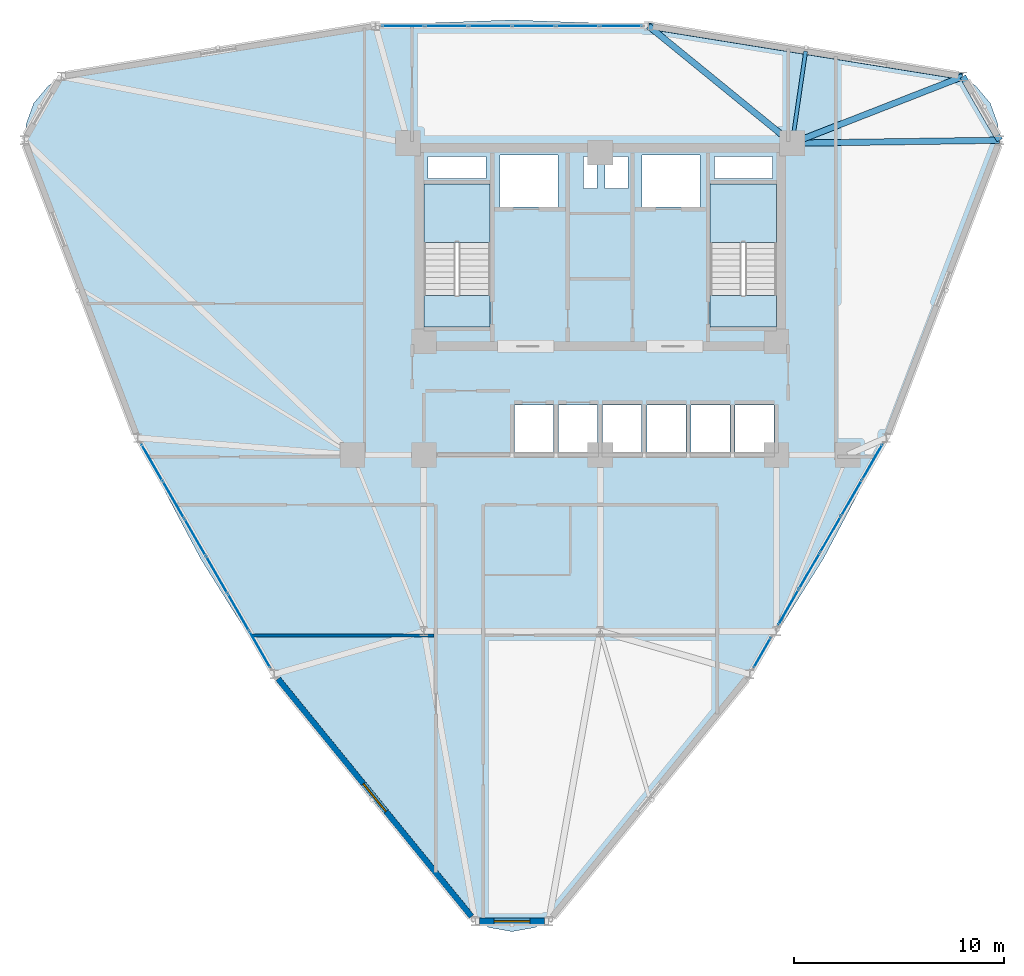
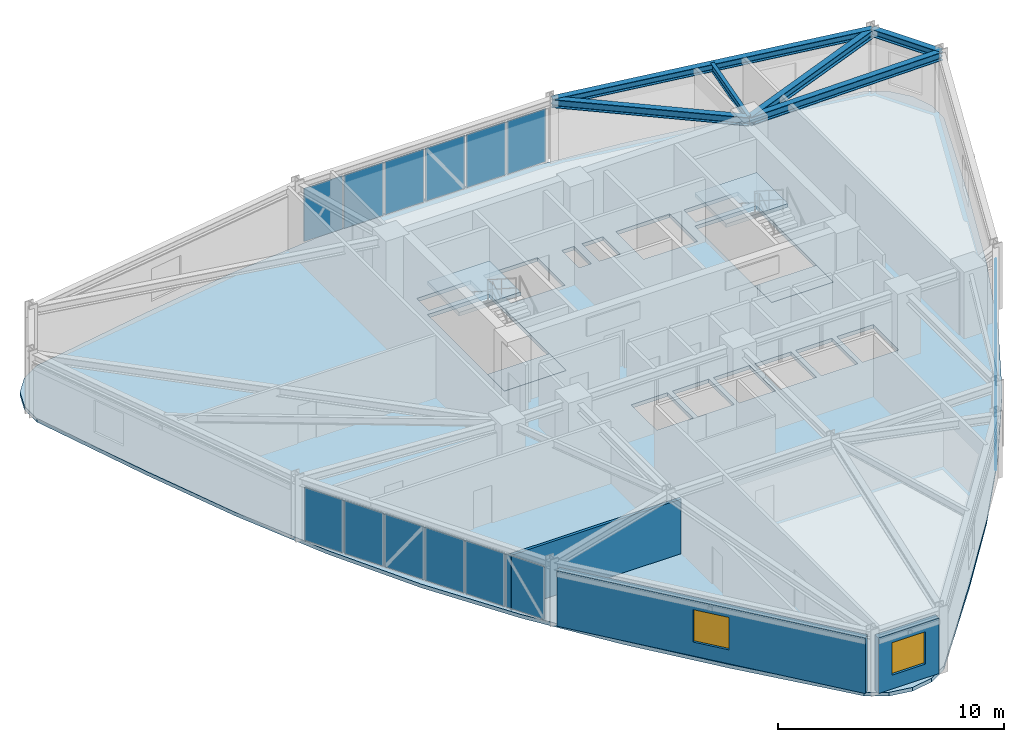
# One storey, part 9 of 15: 18 plates, 6 beams, 5 slabs, 3 walls, 2 windows, 2 openings, 6 elements without a shape of their own.
"""IFC4 building model written with IfcOpenShell, lengths in metres."""

from ifc_helpers import new_model, si_unit, derived_unit, direction, frame, frame_2d, origin, origin_2d, place, context, subcontext, project, spatial, polyline, rectangle, i_section, outline, extrude, source, transform, mapped, material, layer, layer_set, material_profile, profile_set, type_object, element, fill, aggregate, save


model = new_model("IFC4")

# Units and contexts
model_context = context("Model", 3, precision=1e-05, world=origin(), true_north=direction((0.0, 1.0)))
body_context = subcontext(model_context, "Body", "Model", "MODEL_VIEW")
ifc_project = project(units=[si_unit("LENGTHUNIT", "METRE"), si_unit("AREAUNIT", "SQUARE_METRE"), si_unit("VOLUMEUNIT", "CUBIC_METRE"), si_unit("PLANEANGLEUNIT", "RADIAN"), si_unit("MASSUNIT", "GRAM", prefix="KILO"), derived_unit("THERMALTRANSMITTANCEUNIT", [(si_unit("POWERUNIT", "WATT"), 1), (si_unit("LENGTHUNIT", "METRE"), -2), (si_unit("THERMODYNAMICTEMPERATUREUNIT", "KELVIN"), -1)])], contexts=[model_context])

# Site, building, storey
site_placement = place(None, origin())
site = spatial("IfcSite", under=ifc_project, at=site_placement, CompositionType="ELEMENT")
building_placement = place(site_placement, origin())
building = spatial("IfcBuilding", under=site, at=building_placement, Name="Korsvarv Bourse and Concert Hall", CompositionType="ELEMENT")
storey_placement = place(building_placement, frame((0.0, 0.0, 150.60009765625)))
storey = spatial("IfcBuildingStorey", under=building, at=storey_placement, Name="L38", CompositionType="ELEMENT", Elevation=150.60009765625)

# Beams
ifc_material_1 = material(Name="Steel S355", Category="steel")
ifc_material_profile_1 = material_profile(ifc_material_1, i_section(OverallWidth=0.300048828125, OverallDepth=0.39990234375, WebThickness=0.013427734375, FlangeThickness=0.02392578125, FilletRadius=0.02099609375, at=origin_2d()), Name="HEB 400")
ifc_profile_set_1 = profile_set([ifc_material_profile_1], Name="Steel S355")
beam_type_1 = type_object("IfcBeamType", Name="BM-HEB400", PredefinedType="SPANDREL", material=ifc_profile_set_1)
shared_shape_1 = source(origin(), body_context, "Body", "SweptSolid", [
    extrude(i_section(OverallWidth=0.300048828125, OverallDepth=0.39990234375, WebThickness=0.013427734375, FlangeThickness=0.02392578125, FilletRadius=0.02099609375, at=origin_2d()), origin(), (0.0, 0.0, 1.0), 3.505859375),
])
beam_1_placement = place(storey_placement, frame((55.033935546875, 47.39013671875, 3.199951171875), z_axis=(-0.500003763204, 0.866023231087, 0.0), x_axis=(-0.866023231087, -0.500003763204, 0.0)))
element("IfcBeam", 1, at=beam_1_placement, inside=storey, type_object=beam_type_1, Name="L38 beam B-09", PredefinedType="SPANDREL", context=body_context, shape_type="MappedRepresentation", body=[
    mapped(shared_shape_1, transform((0.0, 0.0, 0.0), scale=1.0)),
])
shared_shape_2 = source(origin(), body_context, "Body", "SweptSolid", [
    extrude(i_section(OverallWidth=0.300048828125, OverallDepth=0.39990234375, WebThickness=0.013427734375, FlangeThickness=0.02392578125, FilletRadius=0.02099609375, at=origin_2d()), origin(), (0.0, 0.0, 1.0), 15.1728515625),
])
beam_2_placement = place(storey_placement, frame((53.281005859375, 50.42626953125, 3.199951171875), z_axis=(-0.987303302505, 0.158846431694, 0.0), x_axis=(-0.158846431694, -0.987303302505, 0.0)))
element("IfcBeam", 2, at=beam_2_placement, inside=storey, type_object=beam_type_1, Name="L38 beam B-09", PredefinedType="SPANDREL", context=body_context, shape_type="MappedRepresentation", body=[
    mapped(shared_shape_2, transform((0.0, 0.0, 0.0), scale=1.0)),
])
ifc_material_profile_2 = material_profile(ifc_material_1, i_section(OverallWidth=0.300048828125, OverallDepth=0.449951171875, WebThickness=0.013916015625, FlangeThickness=0.02587890625, FilletRadius=0.02099609375, at=origin_2d()), Name="HEB 450")
ifc_profile_set_2 = profile_set([ifc_material_profile_2], Name="Steel S355")
beam_type_2 = type_object("IfcBeamType", Name="BM-HEB450", PredefinedType="SPANDREL", material=ifc_profile_set_2)
shared_shape_3 = source(origin(), body_context, "Body", "SweptSolid", [
    extrude(i_section(OverallWidth=0.300048828125, OverallDepth=0.449951171875, WebThickness=0.013916015625, FlangeThickness=0.02587890625, FilletRadius=0.02099609375, at=origin_2d()), origin(), (0.0, 0.0, 1.0), 9.885009765625),
])
beam_3_placement = place(storey_placement, frame((55.033935546875, 47.39013671875, 3.1748046875), z_axis=(-0.999899506023, -0.014176665838, 0.0), x_axis=(0.014176665838, -0.999899506023, 0.0)))
element("IfcBeam", 3, at=beam_3_placement, inside=storey, type_object=beam_type_2, Name="L38 beam B-08", PredefinedType="SPANDREL", context=body_context, shape_type="MappedRepresentation", body=[
    mapped(shared_shape_3, transform((0.0, 0.0, 0.0), scale=1.0)),
])
shared_shape_4 = source(origin(), body_context, "Body", "SweptSolid", [
    extrude(i_section(OverallWidth=0.300048828125, OverallDepth=0.449951171875, WebThickness=0.013916015625, FlangeThickness=0.02587890625, FilletRadius=0.02099609375, at=origin_2d()), origin(), (0.0, 0.0, 1.0), 8.7294921875),
])
beam_4_placement = place(storey_placement, frame((53.281005859375, 50.42626953125, 3.1748046875), z_axis=(-0.931455127945, -0.363856214219, 0.0), x_axis=(0.363856214219, -0.931455127945, 0.0)))
element("IfcBeam", 4, at=beam_4_placement, inside=storey, type_object=beam_type_2, Name="L38 beam B-08", PredefinedType="SPANDREL", context=body_context, shape_type="MappedRepresentation", body=[
    mapped(shared_shape_4, transform((0.0, 0.0, 0.0), scale=1.0)),
])
shared_shape_5 = source(origin(), body_context, "Body", "SweptSolid", [
    extrude(i_section(OverallWidth=0.300048828125, OverallDepth=0.449951171875, WebThickness=0.013916015625, FlangeThickness=0.02587890625, FilletRadius=0.02099609375, at=origin_2d()), origin(), (0.0, 0.0, 1.0), 8.83837890625),
])
beam_5_placement = place(storey_placement, frame((38.30078125, 52.83642578125, 3.1748046875), z_axis=(0.774921273398, -0.632057766375, 0.0), x_axis=(0.632057766375, 0.774921273398, 0.0)))
element("IfcBeam", 5, at=beam_5_placement, inside=storey, type_object=beam_type_2, Name="L38 beam B-08", PredefinedType="SPANDREL", context=body_context, shape_type="MappedRepresentation", body=[
    mapped(shared_shape_5, transform((0.0, 0.0, 0.0), scale=1.0)),
])
ifc_material_profile_3 = material_profile(ifc_material_1, i_section(OverallWidth=0.179931640625, OverallDepth=0.39990234375, WebThickness=0.008544921875, FlangeThickness=0.013427734375, FilletRadius=0.02099609375, at=origin_2d()), Name="IPE 400")
ifc_profile_set_3 = profile_set([ifc_material_profile_3], Name="Steel S355")
beam_type_3 = type_object("IfcBeamType", Name="BM-IPE400", PredefinedType="JOIST", material=ifc_profile_set_3)
shared_shape_6 = source(origin(), body_context, "Body", "SweptSolid", [
    extrude(i_section(OverallWidth=0.179931640625, OverallDepth=0.39990234375, WebThickness=0.008544921875, FlangeThickness=0.013427734375, FilletRadius=0.02099609375, at=origin_2d()), origin(), (0.0, 0.0, 1.0), 4.427978515625),
])
beam_6_placement = place(storey_placement, frame((45.791015625, 51.63134765625, 3.199951171875), z_axis=(-0.144786014359, -0.989462990741, 0.0), x_axis=(0.989462990741, -0.144786014359, 0.0)))
element("IfcBeam", 6, at=beam_6_placement, inside=storey, type_object=beam_type_3, Name="L38 beam J-05", PredefinedType="JOIST", context=body_context, shape_type="MappedRepresentation", body=[
    mapped(shared_shape_6, transform((0.0, 0.0, 0.0), scale=1.0)),
])

# Slabs
ifc_material_2 = material(Name="Precast concrete C45/55", Category="concrete")
ifc_layer_1 = layer(ifc_material_2, 0.199951171875)
ifc_layer_set_1 = layer_set([ifc_layer_1], Name="Precast concrete C45/55")
slab_type_1 = type_object("IfcSlabType", Name="SLB-FLND-T", PredefinedType="LANDING", material=ifc_layer_set_1)
slab_1_placement = place(storey_placement, frame((0.0, 0.0, -0.2001953125)))
element("IfcSlab", 7, at=slab_1_placement, inside=storey, type_object=slab_type_1, Name="L38 Stair ST-T1 Floor Landing Slab", PredefinedType="LANDING", context=body_context, shape_type="SweptSolid", body=[
    extrude(outline(polyline([(30.760009765625, 38.5), (30.760009765625, 40.0), (27.60009765625, 40.0), (27.60009765625, 38.5), (30.760009765625, 38.5)])), origin(), (0.0, 0.0, 1.0), 0.2001953125),
])
slab_2_placement = place(storey_placement, frame((0.0, 0.0, -0.2001953125)))
element("IfcSlab", 8, at=slab_2_placement, inside=storey, type_object=slab_type_1, Name="L38 Stair ST-T2 Floor Landing Slab", PredefinedType="LANDING", context=body_context, shape_type="SweptSolid", body=[
    extrude(outline(polyline([(44.39990234375, 38.5), (44.39990234375, 40.0), (41.239990234375, 40.0), (41.239990234375, 38.5), (44.39990234375, 38.5)])), origin(), (0.0, 0.0, 1.0), 0.2001953125),
])

# Stair, slab
stair_type = type_object("IfcStairType", Name="STR-TYPE-04", PredefinedType="HALF_TURN_STAIR", material=ifc_material_2)
stair_1_placement = place(storey_placement, origin())
stair_1 = element("IfcStair", 9, at=stair_1_placement, inside=storey, type_object=stair_type, Name="L38 Tower West Exit Stair ST-T1", PredefinedType="HALF_TURN_STAIR")
ifc_layer_2 = layer(ifc_material_2, 0.199951171875)
ifc_layer_set_2 = layer_set([ifc_layer_2], Name="Precast concrete C45/55")
slab_type_2 = type_object("IfcSlabType", Name="SLB-ST-LND", PredefinedType="LANDING", material=ifc_layer_set_2)
slab_3_placement = place(storey_placement, frame((0.0, 0.0, 1.599853515625)))
slab_3 = element("IfcSlab", 10, at=slab_3_placement, type_object=slab_type_2, Name="ST-T1 landing 1", PredefinedType="LANDING", context=body_context, shape_type="SweptSolid", body=[
    extrude(outline(polyline([(30.760009765625, 42.52001953125), (30.760009765625, 45.300048828125), (27.60009765625, 45.300048828125), (27.60009765625, 42.52001953125), (30.760009765625, 42.52001953125)])), origin(), (0.0, 0.0, 1.0), 0.199951171875),
])
aggregate(stair_1, [slab_3])

stair_2_placement = place(storey_placement, origin())
stair_2 = element("IfcStair", 11, at=stair_2_placement, inside=storey, type_object=stair_type, Name="L38 Tower East Exit Stair ST-T2", PredefinedType="HALF_TURN_STAIR")
slab_4_placement = place(storey_placement, frame((0.0, 0.0, 1.599853515625)))
slab_4 = element("IfcSlab", 12, at=slab_4_placement, type_object=slab_type_2, Name="ST-T2 landing 1", PredefinedType="LANDING", context=body_context, shape_type="SweptSolid", body=[
    extrude(outline(polyline([(44.39990234375, 42.52001953125), (44.39990234375, 45.300048828125), (41.239990234375, 45.300048828125), (41.239990234375, 42.52001953125), (44.39990234375, 42.52001953125)])), origin(), (0.0, 0.0, 1.0), 0.199951171875),
])
aggregate(stair_2, [slab_4])

# Slab
ifc_material_3 = material(Name="Concrete C45/55", Category="concrete")
ifc_layer_3 = layer(ifc_material_3, 0.199951171875)
ifc_layer_set_3 = layer_set([ifc_layer_3], Name="Concrete C45/55")
slab_type_3 = type_object("IfcSlabType", Name="SLB-TW2", PredefinedType="FLOOR", material=ifc_layer_set_3)
slab_5_placement = place(storey_placement, frame((0.0, 0.0, -0.2001953125)))
element("IfcSlab", 13, at=slab_5_placement, inside=storey, type_object=slab_type_3, Name="L38 tower structural floor slab", PredefinedType="FLOOR", context=body_context, shape_type="SweptSolid", body=[
    extrude(outline(polyline([(54.530517578125, 45.832763671875), (52.81396484375, 41.052978515625), (50.986083984375, 36.362548828125), (48.9462890625, 31.814697265625), (46.626220703125, 27.440185546875), (43.997802734375, 23.243408203125), (41.0791015625, 19.203125), (37.930908203125, 15.27490234375), (34.64990234375, 11.398193359375), (34.6474609375, 11.3955078125), (33.83935546875, 10.4326171875), (32.88525390625, 9.881591796875), (31.800048828125, 9.690185546875), (30.71484375, 9.881591796875), (29.760498046875, 10.4326171875), (28.95263671875, 11.3955078125), (28.9501953125, 11.398193359375), (25.669189453125, 15.27490234375), (22.52099609375, 19.203125), (19.602294921875, 23.243408203125), (16.973876953125, 27.440185546875), (14.653564453125, 31.814697265625), (12.614013671875, 36.362548828125), (10.7861328125, 41.052978515625), (9.069580078125, 45.832763671875), (9.068115234375, 45.83642578125), (8.63818359375, 47.017578125), (8.63818359375, 48.119384765625), (9.01513671875, 49.15478515625), (9.723388671875, 49.9990234375), (10.677490234375, 50.5498046875), (11.91552734375, 50.768310546875), (11.919189453125, 50.768798828125), (16.9169921875, 51.671875), (21.892822265625, 52.434326171875), (26.851318359375, 52.94189453125), (31.800048828125, 53.11962890625), (36.74853515625, 52.94189453125), (41.70703125, 52.434326171875), (46.68310546875, 51.671875), (51.6806640625, 50.768798828125), (51.684326171875, 50.768310546875), (52.92236328125, 50.5498046875), (53.876708984375, 49.9990234375), (54.5849609375, 49.15478515625), (54.9619140625, 48.119384765625), (54.9619140625, 47.017578125), (54.53173828125, 45.83642578125), (54.530517578125, 45.832763671875)]), holes=[polyline([(30.760009765625, 38.5), (30.760009765625, 45.300048828125), (27.60009765625, 45.300048828125), (27.60009765625, 38.5), (30.760009765625, 38.5)]), polyline([(44.39990234375, 38.5), (44.39990234375, 45.300048828125), (41.239990234375, 45.300048828125), (41.239990234375, 38.5), (44.39990234375, 38.5)]), polyline([(31.239990234375, 44.219970703125), (34.0, 44.219970703125), (34.0, 46.679931640625), (31.239990234375, 46.679931640625), (31.239990234375, 44.219970703125)]), polyline([(38.0, 44.219970703125), (40.760009765625, 44.219970703125), (40.760009765625, 46.679931640625), (38.0, 46.679931640625), (38.0, 44.219970703125)]), polyline([(31.919921875, 32.52001953125), (33.780029296875, 32.52001953125), (33.780029296875, 34.780029296875), (31.919921875, 34.780029296875), (31.919921875, 32.52001953125)]), polyline([(34.02001953125, 32.52001953125), (35.8798828125, 32.52001953125), (35.8798828125, 34.780029296875), (34.02001953125, 34.780029296875), (34.02001953125, 32.52001953125)]), polyline([(36.1201171875, 32.52001953125), (37.97998046875, 32.52001953125), (37.97998046875, 34.780029296875), (36.1201171875, 34.780029296875), (36.1201171875, 32.52001953125)]), polyline([(38.219970703125, 32.52001953125), (40.080078125, 32.52001953125), (40.080078125, 34.780029296875), (38.219970703125, 34.780029296875), (38.219970703125, 32.52001953125)]), polyline([(40.320068359375, 32.52001953125), (42.179931640625, 32.52001953125), (42.179931640625, 34.780029296875), (40.320068359375, 34.780029296875), (40.320068359375, 32.52001953125)]), polyline([(42.419921875, 32.52001953125), (44.280029296875, 32.52001953125), (44.280029296875, 34.780029296875), (42.419921875, 34.780029296875), (42.419921875, 32.52001953125)]), polyline([(27.800048828125, 45.56005859375), (30.56005859375, 45.56005859375), (30.56005859375, 46.6201171875), (27.800048828125, 46.6201171875), (27.800048828125, 45.56005859375)]), polyline([(41.43994140625, 45.56005859375), (44.199951171875, 45.56005859375), (44.199951171875, 46.6201171875), (41.43994140625, 46.6201171875), (41.43994140625, 45.56005859375)]), polyline([(35.199951171875, 45.080078125), (35.840087890625, 45.080078125), (35.840087890625, 46.6201171875), (35.199951171875, 46.6201171875), (35.199951171875, 45.080078125)]), polyline([(36.239990234375, 45.080078125), (37.320068359375, 45.080078125), (37.320068359375, 46.6201171875), (36.239990234375, 46.6201171875), (36.239990234375, 45.080078125)])]), origin(), (0.0, 0.0, 1.0), 0.2001953125),
])

# Curtain wall, plates
ifc_material_4 = material(Name="Anodised aluminium and triple low-E glazing", Category="glass")
ifc_layer_4 = layer(ifc_material_4, 0.2099609375)
ifc_layer_set_4 = layer_set([ifc_layer_4], Name="Anodised aluminium and triple low-E glazing")
curtain_wall_type = type_object("IfcCurtainWallType", Name="CW-SYS-2", PredefinedType="NOTDEFINED", material=ifc_layer_set_4)
curtain_wall_1_placement = place(storey_placement, origin())
curtain_wall_1 = element("IfcCurtainWall", 14, at=curtain_wall_1_placement, inside=storey, type_object=curtain_wall_type, Name="L38 CW2 curtain wall CW-L38-F11-2", PredefinedType="NOTDEFINED")
ifc_material_5 = material(Name="Tempered triple insulated low-E architectural glass", Category="glass")
ifc_layer_5 = layer(ifc_material_5, 0.0380859375)
ifc_layer_set_5 = layer_set([ifc_layer_5], Name="Tempered triple insulated low-E architectural glass")
plate_type_1 = type_object("IfcPlateType", Name="CWP-VIS2", PredefinedType="CURTAIN_PANEL", material=ifc_layer_set_5)
shared_shape_7 = source(origin(), body_context, "Body", "SweptSolid", [
    extrude(rectangle(XDim=1.898681640625, YDim=0.0380859375, at=origin_2d()), origin(), (0.0, 0.0, 1.0), 2.8701171875),
])
plate_1_placement = place(storey_placement, frame((44.97705078125, 25.150390625, 0.06494140625), z_axis=(0.0, 0.0, 1.0), x_axis=(0.500004690206, 0.866022695876, 0.0)))
plate_1 = element("IfcPlate", 15, at=plate_1_placement, type_object=plate_type_1, Name="CW2 faceted panel 1.1", PredefinedType="CURTAIN_PANEL", context=body_context, shape_type="MappedRepresentation", body=[
    mapped(shared_shape_7, transform((0.0, 0.0, 0.0), scale=1.0)),
])
plate_2_placement = place(storey_placement, frame((48.967041015625, 32.061279296875, 0.06494140625), z_axis=(0.0, 0.0, 1.0), x_axis=(0.500004690206, 0.866022695876, 0.0)))
plate_2 = element("IfcPlate", 16, at=plate_2_placement, type_object=plate_type_1, Name="CW2 faceted panel 5.1", PredefinedType="CURTAIN_PANEL", context=body_context, shape_type="MappedRepresentation", body=[
    mapped(shared_shape_7, transform((0.0, 0.0, 0.0), scale=1.0)),
])

curtain_wall_2_placement = place(storey_placement, origin())
curtain_wall_2 = element("IfcCurtainWall", 17, at=curtain_wall_2_placement, inside=storey, type_object=curtain_wall_type, Name="L38 CW2 curtain wall CW-L38-F03", PredefinedType="NOTDEFINED")
shared_shape_8 = source(origin(), body_context, "Body", "SweptSolid", [
    extrude(rectangle(XDim=1.9765625, YDim=0.0380859375, at=origin_2d()), origin(), (0.0, 0.0, 1.0), 2.8701171875),
])
plate_3_placement = place(storey_placement, frame((36.986572265625, 52.83642578125, 0.06494140625), z_axis=(0.0, 0.0, 1.0), x_axis=(-1.0, 0.0, 0.0)))
plate_3 = element("IfcPlate", 18, at=plate_3_placement, type_object=plate_type_1, Name="CW2 faceted panel 1.1", PredefinedType="CURTAIN_PANEL", context=body_context, shape_type="MappedRepresentation", body=[
    mapped(shared_shape_8, transform((0.0, 0.0, 0.0), scale=1.0)),
])
shared_shape_9 = source(origin(), body_context, "Body", "SweptSolid", [
    extrude(rectangle(XDim=2.01171875, YDim=0.0380859375, at=origin_2d()), origin(), (0.0, 0.0, 1.0), 2.8701171875),
])
plate_4_placement = place(storey_placement, frame((34.92236328125, 52.83642578125, 0.06494140625), z_axis=(0.0, 0.0, 1.0), x_axis=(-1.0, 0.0, 0.0)))
plate_4 = element("IfcPlate", 19, at=plate_4_placement, type_object=plate_type_1, Name="CW2 faceted panel 2.1", PredefinedType="CURTAIN_PANEL", context=body_context, shape_type="MappedRepresentation", body=[
    mapped(shared_shape_9, transform((0.0, 0.0, 0.0), scale=1.0)),
])
plate_5_placement = place(storey_placement, frame((30.75927734375, 52.83642578125, 0.06494140625), z_axis=(0.0, 0.0, 1.0), x_axis=(-1.0, 0.0, 0.0)))
plate_5 = element("IfcPlate", 20, at=plate_5_placement, type_object=plate_type_1, Name="CW2 faceted panel 4.1", PredefinedType="CURTAIN_PANEL", context=body_context, shape_type="MappedRepresentation", body=[
    mapped(shared_shape_9, transform((0.0, 0.0, 0.0), scale=1.0)),
])
plate_6_placement = place(storey_placement, frame((28.677490234375, 52.83642578125, 0.06494140625), z_axis=(0.0, 0.0, 1.0), x_axis=(-1.0, 0.0, 0.0)))
plate_6 = element("IfcPlate", 21, at=plate_6_placement, type_object=plate_type_1, Name="CW2 faceted panel 5.1", PredefinedType="CURTAIN_PANEL", context=body_context, shape_type="MappedRepresentation", body=[
    mapped(shared_shape_9, transform((0.0, 0.0, 0.0), scale=1.0)),
])
ifc_material_6 = material(Name="Insulated spandrel glass", Category="glass")
ifc_layer_6 = layer(ifc_material_6, 0.031982421875)
ifc_layer_set_6 = layer_set([ifc_layer_6], Name="Insulated spandrel glass")
plate_type_2 = type_object("IfcPlateType", Name="CWP-SPD1", PredefinedType="CURTAIN_PANEL", material=ifc_layer_set_6)
shared_shape_10 = source(origin(), body_context, "Body", "SweptSolid", [
    extrude(rectangle(XDim=2.01171875, YDim=0.031982421875, at=origin_2d()), origin(), (0.0, 0.0, 1.0), 2.8701171875),
])
plate_7_placement = place(storey_placement, frame((32.8408203125, 52.83642578125, 0.06494140625), z_axis=(0.0, 0.0, 1.0), x_axis=(-1.0, 0.0, 0.0)))
plate_7 = element("IfcPlate", 22, at=plate_7_placement, type_object=plate_type_2, Name="CW2 spandrel shadow-box panel 3.1", PredefinedType="CURTAIN_PANEL", context=body_context, shape_type="MappedRepresentation", body=[
    mapped(shared_shape_10, transform((0.0, 0.0, 0.0), scale=1.0)),
])
shared_shape_11 = source(origin(), body_context, "Body", "SweptSolid", [
    extrude(rectangle(XDim=1.9765625, YDim=0.031982421875, at=origin_2d()), origin(), (0.0, 0.0, 1.0), 2.8701171875),
])
plate_8_placement = place(storey_placement, frame((26.613525390625, 52.83642578125, 0.06494140625), z_axis=(0.0, 0.0, 1.0), x_axis=(-1.0, 0.0, 0.0)))
plate_8 = element("IfcPlate", 23, at=plate_8_placement, type_object=plate_type_2, Name="CW2 spandrel shadow-box panel 6.1", PredefinedType="CURTAIN_PANEL", context=body_context, shape_type="MappedRepresentation", body=[
    mapped(shared_shape_11, transform((0.0, 0.0, 0.0), scale=1.0)),
])
aggregate(curtain_wall_2, [plate_3, plate_4, plate_7, plate_5, plate_6, plate_8])

curtain_wall_3_placement = place(storey_placement, origin())
curtain_wall_3 = element("IfcCurtainWall", 24, at=curtain_wall_3_placement, inside=storey, type_object=curtain_wall_type, Name="L38 CW2 curtain wall CW-L38-F07", PredefinedType="NOTDEFINED")
shared_shape_12 = source(origin(), body_context, "Body", "SweptSolid", [
    extrude(rectangle(XDim=1.958984375, YDim=0.0380859375, at=origin_2d()), origin(), (0.0, 0.0, 1.0), 2.8701171875),
])
plate_9_placement = place(storey_placement, frame((14.64794921875, 32.03515625, 0.06494140625), z_axis=(0.0, 0.0, 1.0), x_axis=(0.500005545591, -0.866022202013, 0.0)))
plate_9 = element("IfcPlate", 25, at=plate_9_placement, type_object=plate_type_1, Name="CW2 faceted panel 1.1", PredefinedType="CURTAIN_PANEL", context=body_context, shape_type="MappedRepresentation", body=[
    mapped(shared_shape_12, transform((0.0, 0.0, 0.0), scale=1.0)),
])
shared_shape_13 = source(origin(), body_context, "Body", "SweptSolid", [
    extrude(rectangle(XDim=1.993896484375, YDim=0.0380859375, at=origin_2d()), origin(), (0.0, 0.0, 1.0), 2.8701171875),
])
plate_10_placement = place(storey_placement, frame((15.671142578125, 30.262939453125, 0.06494140625), z_axis=(0.0, 0.0, 1.0), x_axis=(0.500005545591, -0.866022202013, 0.0)))
plate_10 = element("IfcPlate", 26, at=plate_10_placement, type_object=plate_type_1, Name="CW2 faceted panel 2.1", PredefinedType="CURTAIN_PANEL", context=body_context, shape_type="MappedRepresentation", body=[
    mapped(shared_shape_13, transform((0.0, 0.0, 0.0), scale=1.0)),
])
plate_11_placement = place(storey_placement, frame((17.735107421875, 26.68798828125, 0.06494140625), z_axis=(0.0, 0.0, 1.0), x_axis=(0.500005545591, -0.866022202013, 0.0)))
plate_11 = element("IfcPlate", 27, at=plate_11_placement, type_object=plate_type_1, Name="CW2 faceted panel 4.1", PredefinedType="CURTAIN_PANEL", context=body_context, shape_type="MappedRepresentation", body=[
    mapped(shared_shape_13, transform((0.0, 0.0, 0.0), scale=1.0)),
])
plate_12_placement = place(storey_placement, frame((18.76708984375, 24.900634765625, 0.06494140625), z_axis=(0.0, 0.0, 1.0), x_axis=(0.500005545591, -0.866022202013, 0.0)))
plate_12 = element("IfcPlate", 28, at=plate_12_placement, type_object=plate_type_1, Name="CW2 faceted panel 5.1", PredefinedType="CURTAIN_PANEL", context=body_context, shape_type="MappedRepresentation", body=[
    mapped(shared_shape_13, transform((0.0, 0.0, 0.0), scale=1.0)),
])
shared_shape_14 = source(origin(), body_context, "Body", "SweptSolid", [
    extrude(rectangle(XDim=1.993896484375, YDim=0.031982421875, at=origin_2d()), origin(), (0.0, 0.0, 1.0), 2.8701171875),
])
plate_13_placement = place(storey_placement, frame((16.703125, 28.4755859375, 0.06494140625), z_axis=(0.0, 0.0, 1.0), x_axis=(0.500005545591, -0.866022202013, 0.0)))
plate_13 = element("IfcPlate", 29, at=plate_13_placement, type_object=plate_type_2, Name="CW2 spandrel shadow-box panel 3.1", PredefinedType="CURTAIN_PANEL", context=body_context, shape_type="MappedRepresentation", body=[
    mapped(shared_shape_14, transform((0.0, 0.0, 0.0), scale=1.0)),
])
shared_shape_15 = source(origin(), body_context, "Body", "SweptSolid", [
    extrude(rectangle(XDim=1.958984375, YDim=0.031982421875, at=origin_2d()), origin(), (0.0, 0.0, 1.0), 2.8701171875),
])
plate_14_placement = place(storey_placement, frame((19.79052734375, 23.128173828125, 0.06494140625), z_axis=(0.0, 0.0, 1.0), x_axis=(0.500005545591, -0.866022202013, 0.0)))
plate_14 = element("IfcPlate", 30, at=plate_14_placement, type_object=plate_type_2, Name="CW2 spandrel shadow-box panel 6.1", PredefinedType="CURTAIN_PANEL", context=body_context, shape_type="MappedRepresentation", body=[
    mapped(shared_shape_15, transform((0.0, 0.0, 0.0), scale=1.0)),
])
aggregate(curtain_wall_3, [plate_9, plate_10, plate_13, plate_11, plate_12, plate_14])

# Curtain wall, plate
curtain_wall_4_placement = place(storey_placement, origin())
curtain_wall_4 = element("IfcCurtainWall", 31, at=curtain_wall_4_placement, inside=storey, type_object=curtain_wall_type, Name="L38 CW2 curtain wall CW-L38-F11-1", PredefinedType="NOTDEFINED")
shared_shape_16 = source(origin(), body_context, "Body", "SweptSolid", [
    extrude(rectangle(XDim=1.607177734375, YDim=0.031982421875, at=origin_2d()), origin(), (0.0, 0.0, 1.0), 2.8701171875),
])
plate_15_placement = place(storey_placement, frame((43.7216796875, 22.975830078125, 0.06494140625), z_axis=(0.0, 0.0, 1.0), x_axis=(0.500004853961, 0.866022601331, 0.0)))
plate_15 = element("IfcPlate", 32, at=plate_15_placement, type_object=plate_type_2, Name="CW2 spandrel shadow-box panel 1.1", PredefinedType="CURTAIN_PANEL", context=body_context, shape_type="MappedRepresentation", body=[
    mapped(shared_shape_16, transform((0.0, 0.0, 0.0), scale=1.0)),
])
aggregate(curtain_wall_4, [plate_15])

# Plate
shared_shape_17 = source(origin(), body_context, "Body", "SweptSolid", [
    extrude(rectangle(XDim=1.933837890625, YDim=0.0380859375, at=origin_2d()), origin(), (0.0, 0.0, 1.0), 2.8701171875),
])
plate_16_placement = place(storey_placement, frame((45.97021484375, 26.870361328125, 0.06494140625), z_axis=(0.0, 0.0, 1.0), x_axis=(0.500004690206, 0.866022695876, 0.0)))
plate_16 = element("IfcPlate", 33, at=plate_16_placement, type_object=plate_type_1, Name="CW2 faceted panel 2.1", PredefinedType="CURTAIN_PANEL", context=body_context, shape_type="MappedRepresentation", body=[
    mapped(shared_shape_17, transform((0.0, 0.0, 0.0), scale=1.0)),
])

plate_17_placement = place(storey_placement, frame((47.973876953125, 30.341064453125, 0.06494140625), z_axis=(0.0, 0.0, 1.0), x_axis=(0.500004690206, 0.866022695876, 0.0)))
plate_17 = element("IfcPlate", 34, at=plate_17_placement, type_object=plate_type_1, Name="CW2 faceted panel 4.1", PredefinedType="CURTAIN_PANEL", context=body_context, shape_type="MappedRepresentation", body=[
    mapped(shared_shape_17, transform((0.0, 0.0, 0.0), scale=1.0)),
])

shared_shape_18 = source(origin(), body_context, "Body", "SweptSolid", [
    extrude(rectangle(XDim=1.933837890625, YDim=0.031982421875, at=origin_2d()), origin(), (0.0, 0.0, 1.0), 2.8701171875),
])
plate_18_placement = place(storey_placement, frame((46.97216796875, 28.605712890625, 0.06494140625), z_axis=(0.0, 0.0, 1.0), x_axis=(0.500004690206, 0.866022695876, 0.0)))
plate_18 = element("IfcPlate", 35, at=plate_18_placement, type_object=plate_type_2, Name="CW2 spandrel shadow-box panel 3.1", PredefinedType="CURTAIN_PANEL", context=body_context, shape_type="MappedRepresentation", body=[
    mapped(shared_shape_18, transform((0.0, 0.0, 0.0), scale=1.0)),
])

aggregate(curtain_wall_1, [plate_1, plate_16, plate_18, plate_17, plate_2])

# Wall, opening, window
ifc_material_7 = material(Name="Precast concrete C45/55 with terracotta rainscreen", Category="concrete")
ifc_layer_7 = layer(ifc_material_7, 0.300048828125)
ifc_layer_set_7 = layer_set([ifc_layer_7], Name="Precast concrete C45/55 with terracotta rainscreen")
wall_type_1 = type_object("IfcWallType", Name="WL-EXT-TC1", PredefinedType="SOLIDWALL", material=ifc_layer_set_7)
wall_1_placement = place(storey_placement, frame((30.258056640625, 10.183837890625, 0.0), z_axis=(0.0, 0.0, 1.0), x_axis=(1.0, 0.0, 0.0)))
wall_1 = element("IfcWall", 36, at=wall_1_placement, inside=storey, type_object=wall_type_1, Name="L38 terracotta exterior wall EW-L38-B09", PredefinedType="SOLIDWALL", context=body_context, shape_type="SweptSolid", body=[
    extrude(rectangle(XDim=3.083740234375, YDim=0.300048828125, at=frame_2d((1.5419921875, 0.0))), origin(), (0.0, 0.0, 1.0), 3.0),
])
opening_1_placement = place(wall_1_placement, frame((0.69189453125, 0.0, 0.75)))
opening_1 = element("IfcOpeningElement", 37, at=opening_1_placement, cuts=wall_1, Name="Opening W-01", PredefinedType="OPENING", context=body_context, shape_type="SweptSolid", body=[
    extrude(rectangle(XDim=1.699951171875, YDim=1.75, at=frame_2d((0.85009765625, 0.875))), frame((0.0, 0.16015625, 0.0), z_axis=(0.0, -1.0, 0.0), x_axis=(1.0, 0.0, 0.0)), (0.0, 0.0, 1.0), 0.320068359375),
])
ifc_material_8 = material(Name="Thermally broken aluminium frame with triple low-E glass", Category="glass")
window_type = type_object("IfcWindowType", Name="WIN-TW1", PartitioningType="SINGLE_PANEL", PredefinedType="WINDOW", material=ifc_material_8)
window_1_placement = place(opening_1_placement, origin())
window_1 = element("IfcWindow", 38, at=window_1_placement, inside=storey, type_object=window_type, Name="L38 punched facade window W-01", OverallHeight=1.75, OverallWidth=1.699951171875, PartitioningType="SINGLE_PANEL", PredefinedType="WINDOW", context=body_context, shape_type="SweptSolid", body=[
    extrude(rectangle(XDim=1.699951171875, YDim=1.75, at=frame_2d((0.85009765625, 0.875))), frame((0.0, 0.030029296875, 0.0), z_axis=(0.0, -1.0, 0.0), x_axis=(1.0, 0.0, 0.0)), (0.0, 0.0, 1.0), 0.06005859375),
])
fill(opening_1, window_1)

ifc_material_9 = material(Name="Precast concrete C45/55 with fluted terracotta pier", Category="concrete")
ifc_layer_8 = layer(ifc_material_9, 0.280029296875)
ifc_layer_set_8 = layer_set([ifc_layer_8], Name="Precast concrete C45/55 with fluted terracotta pier")
wall_type_2 = type_object("IfcWallType", Name="WL-EXT-TC2", PredefinedType="SOLIDWALL", material=ifc_layer_set_8)
wall_2_placement = place(storey_placement, frame((20.650634765625, 21.7294921875, 0.0), z_axis=(0.0, 0.0, 1.0), x_axis=(0.631219465915, -0.775604271423, 0.0)))
wall_2 = element("IfcWall", 39, at=wall_2_placement, inside=storey, type_object=wall_type_2, Name="L38 terracotta exterior wall EW-L38-B08", PredefinedType="SOLIDWALL", context=body_context, shape_type="SweptSolid", body=[
    extrude(rectangle(XDim=14.599365234375, YDim=0.280029296875, at=frame_2d((7.2998046875, 0.0))), origin(), (0.0, 0.0, 1.0), 3.0),
])
opening_2_placement = place(wall_2_placement, frame((6.44970703125, 0.0, 0.75)))
opening_2 = element("IfcOpeningElement", 40, at=opening_2_placement, cuts=wall_2, Name="Opening W-01", PredefinedType="OPENING", context=body_context, shape_type="SweptSolid", body=[
    extrude(rectangle(XDim=1.699951171875, YDim=1.75, at=frame_2d((0.85009765625, 0.875))), frame((0.0, 0.14990234375, 0.0), z_axis=(0.0, -1.0, 0.0), x_axis=(1.0, 0.0, 0.0)), (0.0, 0.0, 1.0), 0.300048828125),
])
window_2_placement = place(opening_2_placement, origin())
window_2 = element("IfcWindow", 41, at=window_2_placement, inside=storey, type_object=window_type, Name="L38 punched facade window W-01", OverallHeight=1.75, OverallWidth=1.699951171875, PartitioningType="SINGLE_PANEL", PredefinedType="WINDOW", context=body_context, shape_type="SweptSolid", body=[
    extrude(rectangle(XDim=1.699951171875, YDim=1.75, at=frame_2d((0.85009765625, 0.875))), frame((0.0, 0.030029296875, 0.0), z_axis=(0.0, -1.0, 0.0), x_axis=(1.0, 0.0, 0.0)), (0.0, 0.0, 1.0), 0.06005859375),
])
fill(opening_2, window_2)

# Wall
ifc_material_10 = material(Name="Insulated steel-stud office acoustic partition", Category="gypsum")
ifc_layer_9 = layer(ifc_material_10, 0.139892578125)
ifc_layer_set_9 = layer_set([ifc_layer_9], Name="Insulated steel-stud office acoustic partition")
wall_type_3 = type_object("IfcWallType", Name="WL-INT-P1", PredefinedType="PARTITIONING", material=ifc_layer_set_9)
wall_3_placement = place(storey_placement, frame((19.419677734375, 23.804931640625, 0.0), z_axis=(0.0, 0.0, 1.0), x_axis=(1.0, 0.0, 0.0)))
element("IfcWall", 42, at=wall_3_placement, inside=storey, type_object=wall_type_3, Name="L38 interior partition wall W-L38-TCOR-14", PredefinedType="PARTITIONING", context=body_context, shape_type="SweptSolid", body=[
    extrude(rectangle(XDim=8.67333984375, YDim=0.139892578125, at=frame_2d((4.336669921875, 0.0))), origin(), (0.0, 0.0, 1.0), 2.949951171875),
])

save(model, "model.ifc")
